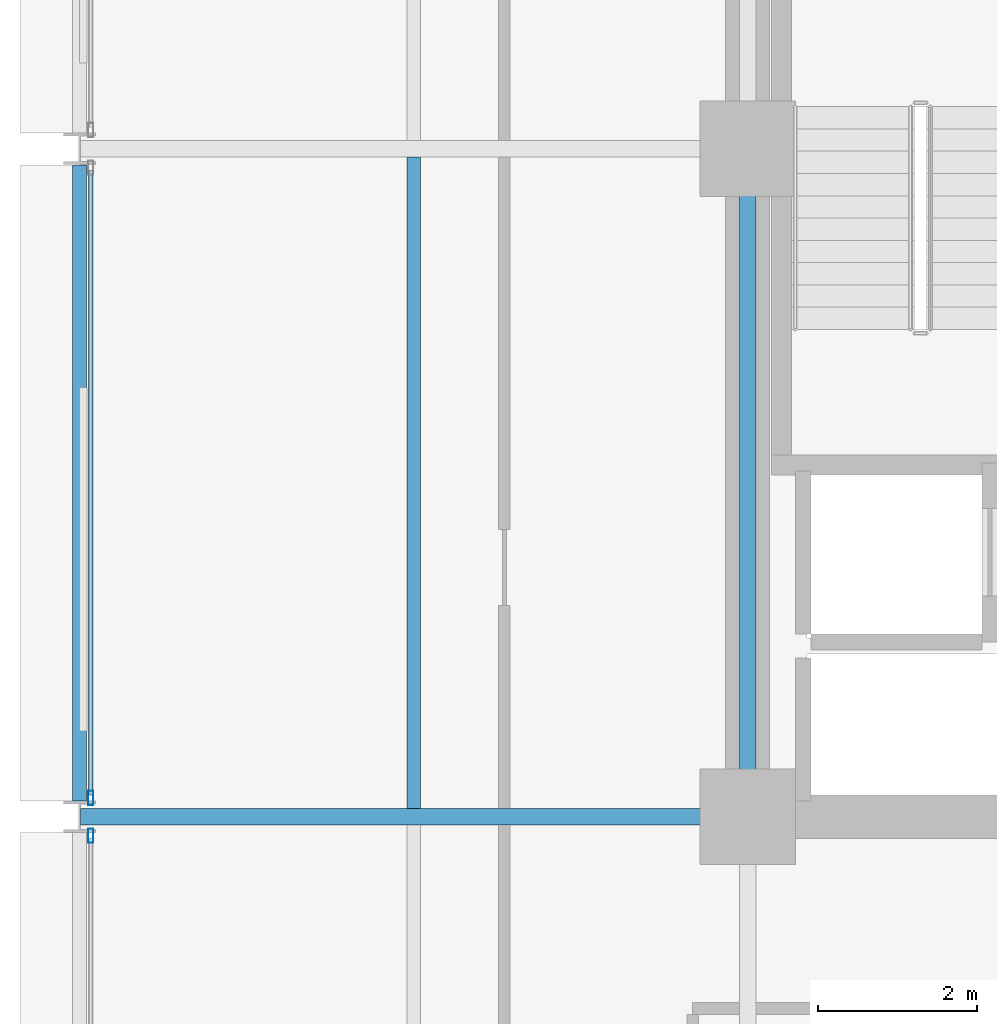
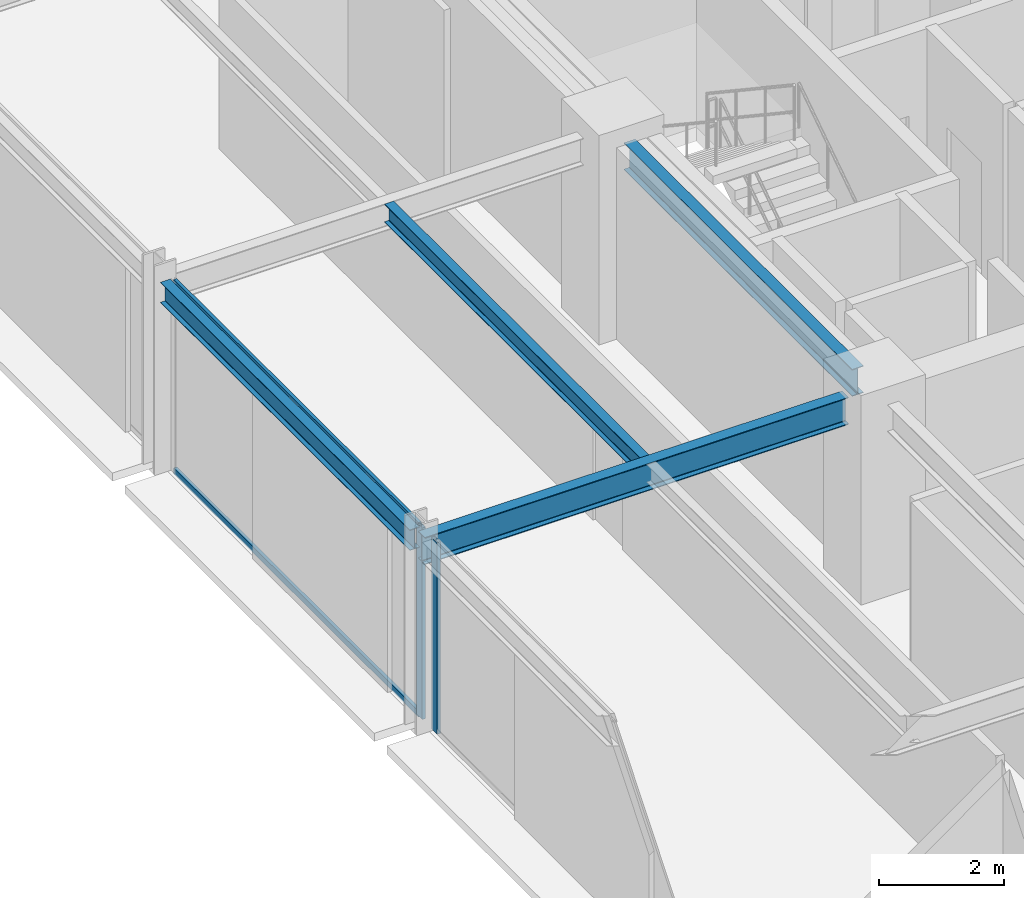
# One storey, part 13 of 40: 4 beams, 4 members, 2 elements without a shape of their own.
"""IFC4 building model written with IfcOpenShell, lengths in metres."""

from ifc_helpers import new_model, si_unit, direction, frame, origin, origin_2d, place, context, subcontext, project, spatial, hollow_rectangle, i_section, extrude, material, layer, layer_set, material_profile, profile_set, type_object, element, aggregate, save


model = new_model("IFC4")

# Units and contexts
model_context = context("Model", 3, precision=1e-05, world=origin(), true_north=direction((0.0, 1.0)))
body_context = subcontext(model_context, "Body", "Model", "MODEL_VIEW")
ifc_project = project(units=[si_unit("LENGTHUNIT", "METRE"), si_unit("AREAUNIT", "SQUARE_METRE"), si_unit("VOLUMEUNIT", "CUBIC_METRE"), si_unit("PLANEANGLEUNIT", "RADIAN"), si_unit("MASSUNIT", "GRAM", prefix="KILO")], contexts=[model_context])

# Site, building, storey
site_placement = place(None, origin())
site = spatial("IfcSite", under=ifc_project, at=site_placement, CompositionType="ELEMENT")
building_placement = place(site_placement, origin())
building = spatial("IfcBuilding", under=site, at=building_placement, Name="Nerrivon Quay Data Exchange", CompositionType="ELEMENT")
storey_placement = place(building_placement, frame((0.0, 0.0, 109.0)))
storey = spatial("IfcBuildingStorey", under=building, at=storey_placement, Name="L25", CompositionType="ELEMENT", Elevation=109.0)

# Beams
ifc_material_1 = material(Name="Steel Grade 350", Category="steel")
ifc_material_profile_1 = material_profile(ifc_material_1, i_section(OverallWidth=0.208984375, OverallDepth=0.532958984375, WebThickness=0.01025390625, FlangeThickness=0.015625, FilletRadius=0.013916015625, at=origin_2d()), Name="530UB92.4")
ifc_profile_set_1 = profile_set([ifc_material_profile_1], Name="Steel Grade 350")
beam_type_1 = type_object("IfcBeamType", Name="BM-G3-530UB92", PredefinedType="BEAM", material=ifc_profile_set_1)
beam_1_placement = place(storey_placement, frame((0.012451171875, 25.199951171875, 3.4833984375), z_axis=(1.0, 0.0, 0.0), x_axis=(0.0, 1.0, 0.0)))
element("IfcBeam", 1, at=beam_1_placement, inside=storey, type_object=beam_type_1, Name="L25 EW Girder Y=25.2 (0.0..8.4)", PredefinedType="BEAM", context=body_context, shape_type="SweptSolid", body=[
    extrude(i_section(OverallWidth=0.208984375, OverallDepth=0.532958984375, WebThickness=0.01025390625, FlangeThickness=0.015625, FilletRadius=0.013916015625, at=origin_2d()), origin(), (0.0, 0.0, 1.0), 7.84765625),
])
ifc_material_profile_2 = material_profile(ifc_material_1, i_section(OverallWidth=0.208984375, OverallDepth=0.528076171875, WebThickness=0.009521484375, FlangeThickness=0.01318359375, FilletRadius=0.013916015625, at=origin_2d()), Name="530UB82.0")
ifc_profile_set_2 = profile_set([ifc_material_profile_2], Name="Steel Grade 350")
beam_type_2 = type_object("IfcBeamType", Name="BM-G4-530UB82", PredefinedType="BEAM", material=ifc_profile_set_2)
beam_2_placement = place(storey_placement, frame((8.39990234375, 25.739990234375, 3.486083984375), z_axis=(0.0, 1.0, 0.0), x_axis=(-1.0, 0.0, 0.0)))
element("IfcBeam", 2, at=beam_2_placement, inside=storey, type_object=beam_type_2, Name="L25 NS Girder X=8.4 (25.2..33.6)", PredefinedType="BEAM", context=body_context, shape_type="SweptSolid", body=[
    extrude(i_section(OverallWidth=0.208984375, OverallDepth=0.528076171875, WebThickness=0.009521484375, FlangeThickness=0.01318359375, FilletRadius=0.013916015625, at=origin_2d()), origin(), (0.0, 0.0, 1.0), 7.320068359375),
])
ifc_material_profile_3 = material_profile(ifc_material_1, i_section(OverallWidth=0.1708984375, OverallDepth=0.35595703125, WebThickness=0.00732421875, FlangeThickness=0.011474609375, FilletRadius=0.011474609375, at=origin_2d()), Name="360UB50.7")
ifc_profile_set_3 = profile_set([ifc_material_profile_3], Name="Steel Grade 350")
beam_type_3 = type_object("IfcBeamType", Name="BM-J4-360UB51", PredefinedType="JOIST", material=ifc_profile_set_3)
beam_3_placement = place(storey_placement, frame((4.199951171875, 25.304443359375, 3.572021484375), z_axis=(0.0, 1.0, 0.0), x_axis=(-1.0, 0.0, 0.0)))
element("IfcBeam", 3, at=beam_3_placement, inside=storey, type_object=beam_type_3, Name="L25 Secondary Joist X=4.2 (25.2..33.6)", PredefinedType="JOIST", context=body_context, shape_type="SweptSolid", body=[
    extrude(i_section(OverallWidth=0.1708984375, OverallDepth=0.35595703125, WebThickness=0.00732421875, FlangeThickness=0.011474609375, FilletRadius=0.011474609375, at=origin_2d()), origin(), (0.0, 0.0, 1.0), 8.191162109375),
])
ifc_material_profile_4 = material_profile(ifc_material_1, i_section(OverallWidth=0.177978515625, OverallDepth=0.403076171875, WebThickness=0.007568359375, FlangeThickness=0.010986328125, FilletRadius=0.011474609375, at=origin_2d()), Name="410UB53.7")
ifc_profile_set_4 = profile_set([ifc_material_profile_4], Name="Steel Grade 350")
beam_type_4 = type_object("IfcBeamType", Name="BM-SP2-410UB54", PredefinedType="SPANDREL", material=ifc_profile_set_4)
beam_4_placement = place(storey_placement, frame((0.0, 25.39990234375, 3.548583984375), z_axis=(0.0, 1.0, 0.0), x_axis=(-1.0, 0.0, 0.0)))
element("IfcBeam", 4, at=beam_4_placement, inside=storey, type_object=beam_type_4, Name="L25 NS Girder X=0.0 (25.2..33.6)", PredefinedType="SPANDREL", context=body_context, shape_type="SweptSolid", body=[
    extrude(i_section(OverallWidth=0.177978515625, OverallDepth=0.403076171875, WebThickness=0.007568359375, FlangeThickness=0.010986328125, FilletRadius=0.011474609375, at=origin_2d()), origin(), (0.0, 0.0, 1.0), 8.0),
])

# Curtain wall, member
ifc_material_2 = material(Name="Anodised aluminium 6063-T6", Category="aluminium")
ifc_layer = layer(ifc_material_2, 0.2099609375)
ifc_layer_set = layer_set([ifc_layer], Name="Anodised aluminium 6063-T6")
curtain_wall_type = type_object("IfcCurtainWallType", Name="CW-SYS-02", PredefinedType="NOTDEFINED", material=ifc_layer_set)
curtain_wall_1_placement = place(storey_placement, origin())
curtain_wall_1 = element("IfcCurtainWall", 5, at=curtain_wall_1_placement, inside=storey, type_object=curtain_wall_type, Name="L25 Unitised Curtain Wall 19", PredefinedType="NOTDEFINED")
ifc_material_profile_5 = material_profile(ifc_material_2, hollow_rectangle(XDim=0.06494140625, YDim=0.179931640625, WallThickness=0.00341796875, at=origin_2d()), Name="ALU-MULL-180x65")
ifc_profile_set_5 = profile_set([ifc_material_profile_5], Name="Anodised aluminium 6063-T6")
member_type_1 = type_object("IfcMemberType", Name="CWM-180x65", PredefinedType="MULLION", material=ifc_profile_set_5)
member_1_placement = place(storey_placement, frame((0.139892578125, 24.96240234375, 0.0), z_axis=(0.0, 0.0, 1.0), x_axis=(-1.0, 0.0, 0.0)))
member_1 = element("IfcMember", 6, at=member_1_placement, type_object=member_type_1, Name="CW02 mullion 2", PredefinedType="MULLION", context=body_context, shape_type="SweptSolid", body=[
    extrude(hollow_rectangle(XDim=0.06494140625, YDim=0.179931640625, WallThickness=0.00341796875, at=origin_2d()), origin(), (0.0, 0.0, 1.0), 3.75),
])
aggregate(curtain_wall_1, [member_1])

# Curtain wall, members
curtain_wall_2_placement = place(storey_placement, origin())
curtain_wall_2 = element("IfcCurtainWall", 7, at=curtain_wall_2_placement, inside=storey, type_object=curtain_wall_type, Name="L25 Unitised Curtain Wall 20", PredefinedType="NOTDEFINED")
member_2_placement = place(storey_placement, frame((0.139892578125, 25.4375, 0.0), z_axis=(0.0, 0.0, 1.0), x_axis=(-1.0, 0.0, 0.0)))
member_2 = element("IfcMember", 8, at=member_2_placement, type_object=member_type_1, Name="CW02 mullion 1", PredefinedType="MULLION", context=body_context, shape_type="SweptSolid", body=[
    extrude(hollow_rectangle(XDim=0.06494140625, YDim=0.179931640625, WallThickness=0.00341796875, at=origin_2d()), origin(), (0.0, 0.0, 1.0), 3.75),
])
ifc_material_profile_6 = material_profile(ifc_material_2, hollow_rectangle(XDim=0.06005859375, YDim=0.1201171875, WallThickness=0.003173828125, at=origin_2d()), Name="ALU-TRAN-120x60")
ifc_profile_set_6 = profile_set([ifc_material_profile_6], Name="Anodised aluminium 6063-T6")
member_type_2 = type_object("IfcMemberType", Name="CWT-120x60", PredefinedType="USERDEFINED", material=ifc_profile_set_6)
member_3_placement = place(storey_placement, frame((0.139892578125, 25.47509765625, 0.032470703125), z_axis=(0.0, 1.0, 0.0), x_axis=(-1.0, 0.0, 0.0)))
member_3 = element("IfcMember", 9, at=member_3_placement, type_object=member_type_2, Name="CW02 transom 1.1", ObjectType="TRANSOM", PredefinedType="USERDEFINED", context=body_context, shape_type="SweptSolid", body=[
    extrude(hollow_rectangle(XDim=0.06005859375, YDim=0.1201171875, WallThickness=0.003173828125, at=origin_2d()), origin(), (0.0, 0.0, 1.0), 7.849853515625),
])
member_4_placement = place(storey_placement, frame((0.139892578125, 25.47509765625, 3.717529296875), z_axis=(0.0, 1.0, 0.0), x_axis=(-1.0, 0.0, 0.0)))
member_4 = element("IfcMember", 10, at=member_4_placement, type_object=member_type_2, Name="CW02 transom 1.2", ObjectType="TRANSOM", PredefinedType="USERDEFINED", context=body_context, shape_type="SweptSolid", body=[
    extrude(hollow_rectangle(XDim=0.06005859375, YDim=0.1201171875, WallThickness=0.003173828125, at=origin_2d()), origin(), (0.0, 0.0, 1.0), 7.849853515625),
])
aggregate(curtain_wall_2, [member_2, member_3, member_4])

save(model, "model.ifc")
